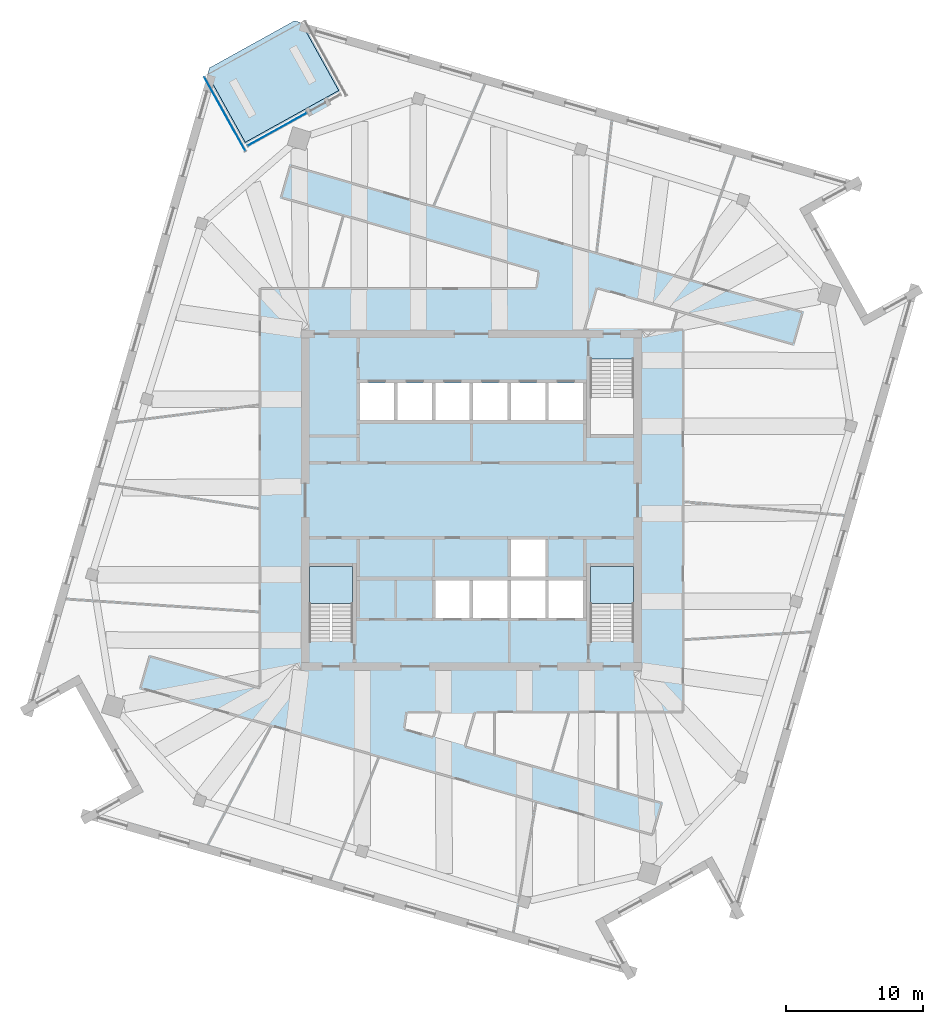
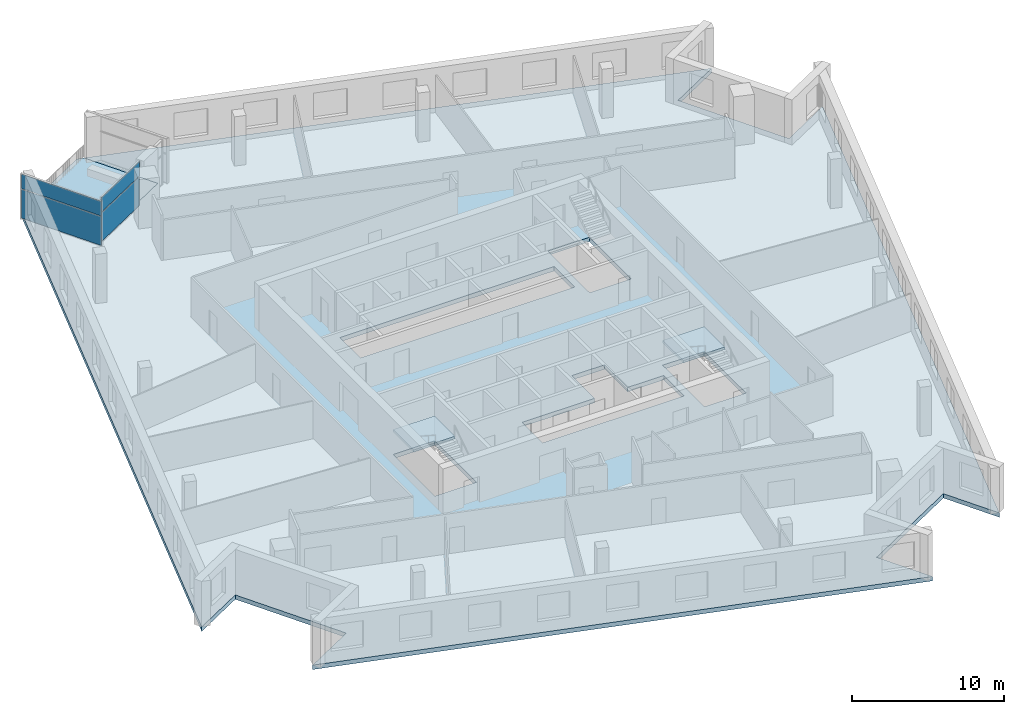
# One storey, part 5 of 15: 4 plates, 4 slabs, 4 elements without a shape of their own.
"""IFC4 building model written with IfcOpenShell, lengths in metres."""

from ifc_helpers import new_model, si_unit, direction, frame, origin, origin_2d, place, context, subcontext, project, spatial, polyline, rectangle, outline, extrude, material, layer, layer_set, type_object, element, aggregate, save


model = new_model("IFC4")

# Units and contexts
model_context = context("Model", 3, precision=1e-05, world=origin(), true_north=direction((0.0, 1.0)))
body_context = subcontext(model_context, "Body", "Model", "MODEL_VIEW")
ifc_project = project(units=[si_unit("LENGTHUNIT", "METRE"), si_unit("AREAUNIT", "SQUARE_METRE"), si_unit("VOLUMEUNIT", "CUBIC_METRE"), si_unit("PLANEANGLEUNIT", "RADIAN"), si_unit("MASSUNIT", "GRAM", prefix="KILO")], contexts=[model_context])

# Site, building, storey
site_placement = place(None, origin())
site = spatial("IfcSite", under=ifc_project, at=site_placement, CompositionType="ELEMENT")
building_placement = place(site_placement, origin())
building = spatial("IfcBuilding", under=site, at=building_placement, Name="Dilmun Exchange Tower", CompositionType="ELEMENT")
storey_placement = place(building_placement, frame((0.0, 0.0, 324.5)))
storey = spatial("IfcBuildingStorey", under=building, at=storey_placement, Name="L77", CompositionType="ELEMENT", Elevation=324.5)

# Stair, slab
ifc_material_1 = material(Name="Concrete C40/50", Category="concrete")
stair_type = type_object("IfcStairType", Name="Exit stair 1500 half-turn", PredefinedType="HALF_TURN_STAIR", material=ifc_material_1)
stair_1_placement = place(storey_placement, origin())
stair_1 = element("IfcStair", 1, at=stair_1_placement, inside=storey, type_object=stair_type, Name="L77 Protected exit stair ST2", PredefinedType="HALF_TURN_STAIR")
ifc_layer_1 = layer(ifc_material_1, 0.199951171875)
ifc_layer_set_1 = layer_set([ifc_layer_1], Name="Concrete C40/50")
slab_type_1 = type_object("IfcSlabType", Name="Exit stair landing 200", PredefinedType="LANDING", material=ifc_layer_set_1)
slab_1_placement = place(storey_placement, frame((0.0, 0.0, 1.800048828125)))
slab_1 = element("IfcSlab", 2, at=slab_1_placement, type_object=slab_type_1, Name="ST2 landing 1", PredefinedType="LANDING", context=body_context, shape_type="SweptSolid", body=[
    extrude(outline(polyline([(-8.64990234375, -7.5), (-8.64990234375, -4.800048828125), (-11.800048828125, -4.800048828125), (-11.800048828125, -7.5), (-8.64990234375, -7.5)])), origin(), (0.0, 0.0, 1.0), 0.199951171875),
])
aggregate(stair_1, [slab_1])

stair_2_placement = place(storey_placement, origin())
stair_2 = element("IfcStair", 3, at=stair_2_placement, inside=storey, type_object=stair_type, Name="L77 Protected exit stair ST3", PredefinedType="HALF_TURN_STAIR")
slab_2_placement = place(storey_placement, frame((0.0, 0.0, 1.800048828125)))
slab_2 = element("IfcSlab", 4, at=slab_2_placement, type_object=slab_type_1, Name="ST3 landing 1", PredefinedType="LANDING", context=body_context, shape_type="SweptSolid", body=[
    extrude(outline(polyline([(11.800048828125, -7.5), (11.800048828125, -4.800048828125), (8.64990234375, -4.800048828125), (8.64990234375, -7.5), (11.800048828125, -7.5)])), origin(), (0.0, 0.0, 1.0), 0.199951171875),
])
aggregate(stair_2, [slab_2])

# Curtain wall, plates
ifc_material_2 = material(Name="Anodised aluminium and clear glass", Category="aluminium")
curtain_wall_type = type_object("IfcCurtainWallType", Name="Garden corner glazing", PredefinedType="NOTDEFINED", material=ifc_material_2)
curtain_wall_1_placement = place(storey_placement, origin())
curtain_wall_1 = element("IfcCurtainWall", 5, at=curtain_wall_1_placement, inside=storey, type_object=curtain_wall_type, Name="Garden corner glazing run GC2.3", PredefinedType="NOTDEFINED")
ifc_material_3 = material(Name="Clear glass", Category="glass")
ifc_layer_2 = layer(ifc_material_3, 0.028076171875)
ifc_layer_set_2 = layer_set([ifc_layer_2], Name="Clear glass")
plate_type = type_object("IfcPlateType", Name="Garden corner glazing glass panel 28", PredefinedType="CURTAIN_PANEL", material=ifc_layer_set_2)
plate_1_placement = place(storey_placement, frame((-14.13623046875, 27.001708984375, 0.06005859375), z_axis=(0.0, 0.0, 1.0), x_axis=(-0.874618260359, -0.484812230299, 0.0)))
plate_1 = element("IfcPlate", 6, at=plate_1_placement, type_object=plate_type, Name="GC2.3 panel 1.1", PredefinedType="CURTAIN_PANEL", context=body_context, shape_type="SweptSolid", body=[
    extrude(rectangle(XDim=4.869140625, YDim=0.028076171875, at=origin_2d()), origin(), (0.0, 0.0, 1.0), 2.31005859375),
])
plate_2_placement = place(storey_placement, frame((-14.13623046875, 27.001708984375, 2.43017578125), z_axis=(0.0, 0.0, 1.0), x_axis=(-0.874618260359, -0.484812230299, 0.0)))
plate_2 = element("IfcPlate", 7, at=plate_2_placement, type_object=plate_type, Name="GC2.3 panel 1.2", PredefinedType="CURTAIN_PANEL", context=body_context, shape_type="SweptSolid", body=[
    extrude(rectangle(XDim=4.869140625, YDim=0.028076171875, at=origin_2d()), origin(), (0.0, 0.0, 1.0), 1.159912109375),
])
aggregate(curtain_wall_1, [plate_1, plate_2])

curtain_wall_2_placement = place(storey_placement, origin())
curtain_wall_2 = element("IfcCurtainWall", 8, at=curtain_wall_2_placement, inside=storey, type_object=curtain_wall_type, Name="Garden corner glazing run GC3.1", PredefinedType="NOTDEFINED")
plate_3_placement = place(storey_placement, frame((-17.94921875, 28.115966796875, 0.06005859375), z_axis=(0.0, 0.0, 1.0), x_axis=(-0.484802683833, 0.87462355202, 0.0)))
plate_3 = element("IfcPlate", 9, at=plate_3_placement, type_object=plate_type, Name="GC3.1 panel 1.1", PredefinedType="CURTAIN_PANEL", context=body_context, shape_type="SweptSolid", body=[
    extrude(rectangle(XDim=6.12646484375, YDim=0.028076171875, at=origin_2d()), origin(), (0.0, 0.0, 1.0), 2.31005859375),
])
plate_4_placement = place(storey_placement, frame((-17.94921875, 28.115966796875, 2.43017578125), z_axis=(0.0, 0.0, 1.0), x_axis=(-0.484802683833, 0.87462355202, 0.0)))
plate_4 = element("IfcPlate", 10, at=plate_4_placement, type_object=plate_type, Name="GC3.1 panel 1.2", PredefinedType="CURTAIN_PANEL", context=body_context, shape_type="SweptSolid", body=[
    extrude(rectangle(XDim=6.12646484375, YDim=0.028076171875, at=origin_2d()), origin(), (0.0, 0.0, 1.0), 1.159912109375),
])
aggregate(curtain_wall_2, [plate_3, plate_4])

# Slabs
ifc_layer_3 = layer(ifc_material_1, 0.35009765625)
ifc_layer_set_3 = layer_set([ifc_layer_3], Name="Concrete C40/50")
slab_type_2 = type_object("IfcSlabType", Name="RC floor slab 350", PredefinedType="FLOOR", material=ifc_layer_set_3)
slab_3_placement = place(storey_placement, frame((0.0, 0.0, -0.35009765625)))
element("IfcSlab", 11, at=slab_3_placement, inside=storey, type_object=slab_type_2, Name="Floor slab", PredefinedType="FLOOR", context=body_context, shape_type="SweptSolid", body=[
    extrude(outline(polyline([(24.697509765625, 20.974609375), (28.818359375, 13.540283203125), (32.56640625, 15.6181640625), (19.341552734375, -30.50244140625), (17.263916015625, -26.75439453125), (9.82958984375, -30.875244140625), (11.907470703125, -34.623291015625), (-28.445556640625, -23.05224609375), (-24.697509765625, -20.974609375), (-28.818359375, -13.540283203125), (-32.56640625, -15.6181640625), (-19.200927734375, 30.9931640625), (-16.46337890625, 26.0546875), (-9.66064453125, 29.82568359375), (-12.39794921875, 34.76416015625), (28.445556640625, 23.05224609375), (24.697509765625, 20.974609375)]), holes=[polyline([(-8.64990234375, -4.800048828125), (-11.800048828125, -4.800048828125), (-11.800048828125, -10.294921875), (-8.64990234375, -10.294921875), (-8.64990234375, -4.800048828125)]), polyline([(11.800048828125, -4.800048828125), (8.64990234375, -4.800048828125), (8.64990234375, -10.294921875), (11.800048828125, -10.294921875), (11.800048828125, -4.800048828125)]), polyline([(2.875, -5.85009765625), (-2.625, -5.85009765625), (-2.625, -8.550048828125), (8.125, -8.550048828125), (8.125, -5.85009765625), (5.375, -5.85009765625), (5.375, -2.85009765625), (2.875, -2.85009765625), (2.875, -5.85009765625)]), polyline([(8.125, 5.85009765625), (8.125, 8.550048828125), (-8.125, 8.550048828125), (-8.125, 5.85009765625), (8.125, 5.85009765625)]), polyline([(8.64990234375, 10.294921875), (8.64990234375, 4.800048828125), (11.800048828125, 4.800048828125), (11.800048828125, 10.294921875), (8.64990234375, 10.294921875)])]), origin(), (0.0, 0.0, 1.0), 0.35009765625),
])
ifc_layer_4 = layer(ifc_material_1, 0.300048828125)
ifc_layer_set_4 = layer_set([ifc_layer_4], Name="Concrete C40/50")
slab_type_3 = type_object("IfcSlabType", Name="RC garden terrace slab 300", PredefinedType="FLOOR", material=ifc_layer_set_4)
slab_4_placement = place(storey_placement, frame((0.0, 0.0, -0.300048828125)))
element("IfcSlab", 12, at=slab_4_placement, inside=storey, type_object=slab_type_3, Name="Garden terrace slab", PredefinedType="FLOOR", context=body_context, shape_type="SweptSolid", body=[
    extrude(outline(polyline([(-16.46337890625, 26.0546875), (-19.200927734375, 30.9931640625), (-19.06298828125, 31.473876953125), (-12.878662109375, 34.90185546875), (-12.39794921875, 34.76416015625), (-9.66064453125, 29.82568359375), (-16.46337890625, 26.0546875)])), origin(), (0.0, 0.0, 1.0), 0.300048828125),
])

save(model, "model.ifc")
